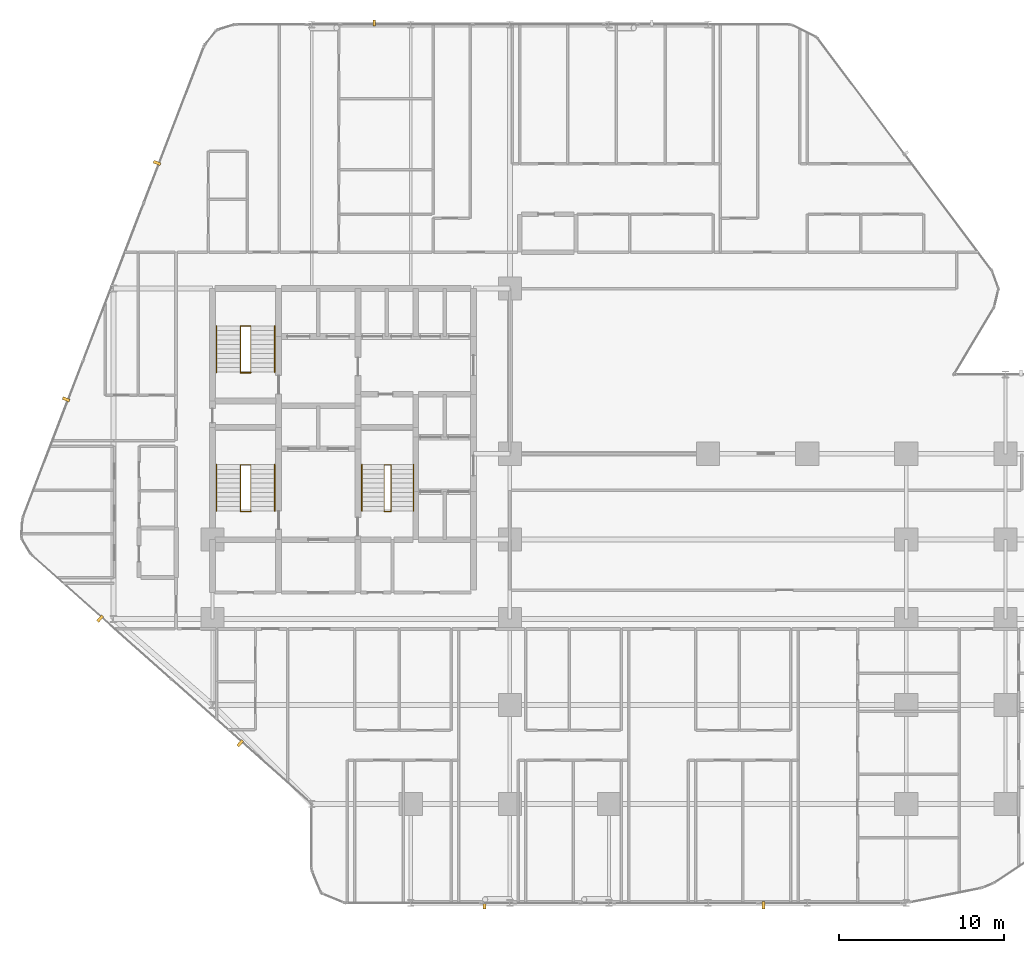
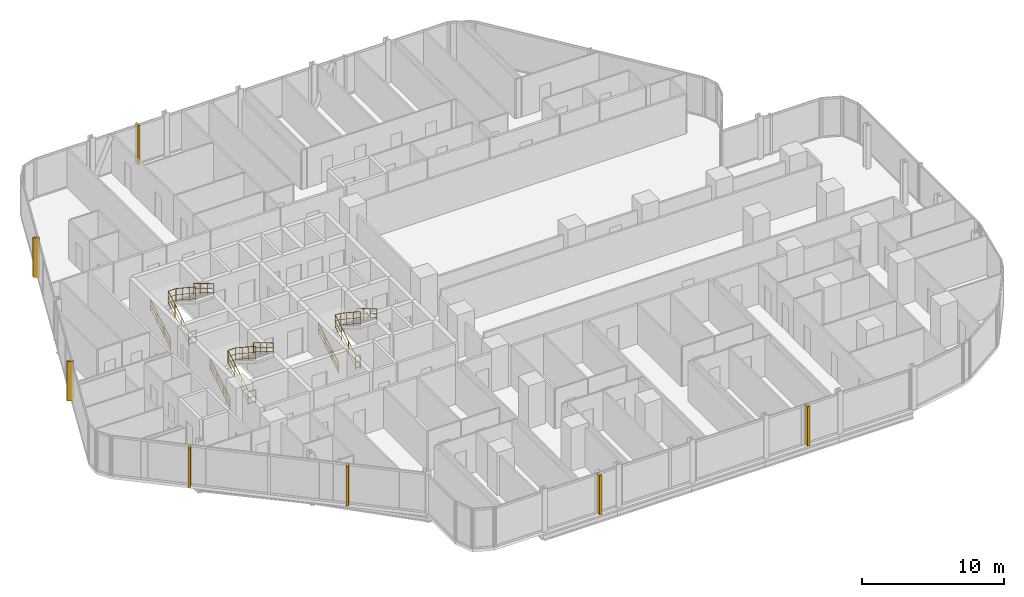
# One storey, part 33 of 34: 12 railings, 7 coverings.
"""IFC4 building model written with IfcOpenShell, lengths in metres."""

import ifcopenshell
import ifcopenshell.guid

model = None  # the IFC model being written
_history = None  # IfcOwnerHistory: only IFC2X3 demands one
_inside = {}  # id of a spatial element -> (the spatial element, [elements in it])
_under = {}  # id of a project, library or spatial element -> (it, [spatial elements below it])
_declared = {}  # id of a project -> (the project, [libraries it declares])
_typed = {}  # id of a type object -> (the type object, [elements of that type])
_made_of = {}  # id of a material, layer set ... -> (it, [elements and type objects made of it])


def new_model(schema):
    """Start an empty IFC model of exactly this schema.

    Asked for "IFC4X3", IfcOpenShell would pick the latest addendum, in which some entities
    have other attributes; the version numbers below select the first issue.
    IFC2X3 requires an IfcOwnerHistory on every rooted entity: one is made here for all.
    """
    global model, _history
    if schema == "IFC4X3":
        model = ifcopenshell.file(schema_version=(4, 3, 0, 0))
    else:
        model = ifcopenshell.file(schema=schema)
    _inside.clear()
    _under.clear()
    _declared.clear()
    _typed.clear()
    _made_of.clear()
    _history = None
    if model.schema == "IFC2X3":
        org = make("IfcOrganization", Name="unknown")
        user = make(
            "IfcPersonAndOrganization",
            ThePerson=make("IfcPerson", FamilyName="unknown"),
            TheOrganization=org,
        )
        app = make(
            "IfcApplication",
            ApplicationDeveloper=org,
            Version="unknown",
            ApplicationFullName="unknown",
            ApplicationIdentifier="unknown",
        )
        _history = make(
            "IfcOwnerHistory",
            OwningUser=user,
            OwningApplication=app,
            ChangeAction="ADDED",
            CreationDate=0,
        )
    return model


def make(cls, **values):
    """One entity of the class cls with the attributes given. An attribute that is None is left unset."""
    return model.create_entity(
        cls, **{name: value for name, value in values.items() if value is not None}
    )


def rooted(cls, **values):
    """An entity with a GlobalId (a new one), such as an element, a storey or a relation."""
    return make(cls, GlobalId=ifcopenshell.guid.new(), OwnerHistory=_history, **values)


def si_unit(unit_type, name, prefix=None):
    """IfcSIUnit, for example si_unit("LENGTHUNIT", "METRE", prefix="MILLI")."""
    return make("IfcSIUnit", UnitType=unit_type, Prefix=prefix, Name=name)


def assignment(units):
    """IfcUnitAssignment: the units of a project."""
    return None if units is None else make("IfcUnitAssignment", Units=units)


def point(xyz):
    """IfcCartesianPoint."""
    return None if xyz is None else make("IfcCartesianPoint", Coordinates=xyz)


def direction(xyz):
    """IfcDirection."""
    return None if xyz is None else make("IfcDirection", DirectionRatios=xyz)


def frame(location, z_axis=None, x_axis=None):
    """IfcAxis2Placement3D, a coordinate frame: its origin and axes. An axis left out is left unset."""
    return make(
        "IfcAxis2Placement3D",
        Location=point(location),
        Axis=direction(z_axis),
        RefDirection=direction(x_axis),
    )


def frame_2d(location, x_axis=None):
    """IfcAxis2Placement2D, a coordinate frame in the plane: its origin and x axis."""
    return make(
        "IfcAxis2Placement2D", Location=point(location), RefDirection=direction(x_axis)
    )


def origin():
    """The frame at (0, 0, 0) with its axes left unset."""
    return frame((0.0, 0.0, 0.0))


def origin_2d():
    """The frame at (0, 0) in the plane with its x axis left unset."""
    return frame_2d((0.0, 0.0))


def place(relative_to, where):
    """IfcLocalPlacement: puts the frame where relative to a parent placement (None: the world)."""
    return make(
        "IfcLocalPlacement", PlacementRelTo=relative_to, RelativePlacement=where
    )


def context(
    kind, dimensions, precision=None, world=None, true_north=None, identifier=None
):
    """IfcGeometricRepresentationContext, for example the 3D "Model" context."""
    return make(
        "IfcGeometricRepresentationContext",
        ContextIdentifier=identifier,
        ContextType=kind,
        CoordinateSpaceDimension=dimensions,
        Precision=precision,
        WorldCoordinateSystem=world,
        TrueNorth=true_north,
    )


def subcontext(parent, identifier, kind, view, scale=None):
    """IfcGeometricRepresentationSubContext, for example "Body" below "Model"."""
    return make(
        "IfcGeometricRepresentationSubContext",
        ContextIdentifier=identifier,
        ContextType=kind,
        ParentContext=parent,
        TargetScale=scale,
        TargetView=view,
    )


def project(units=None, contexts=None):
    """IfcProject with its units and contexts."""
    return rooted(
        "IfcProject",
        Name="project",
        RepresentationContexts=contexts,
        UnitsInContext=assignment(units),
    )


def spatial(cls, under=None, at=None, **own):
    """A site, building, storey or space (cls), placed at a placement, below another one or the project."""
    s = rooted(cls, ObjectPlacement=at, **own)
    if under is not None:
        _under.setdefault(under.id(), (under, []))[1].append(s)
    return s


def profile(cls, at=None, kind="AREA", **sizes):
    """A parametric profile (cls). Its sizes go by their IFC names, for example OverallWidth=200.0."""
    return make(cls, ProfileType=kind, Position=at, **sizes)


def rectangle(**sizes):
    """IfcRectangleProfileDef."""
    return profile("IfcRectangleProfileDef", **sizes)


def circle(**sizes):
    """IfcCircleProfileDef."""
    return profile("IfcCircleProfileDef", **sizes)


def extrude(swept, where, along, depth):
    """IfcExtrudedAreaSolid: the profile swept, set in the frame where, extruded along a direction by depth."""
    return make(
        "IfcExtrudedAreaSolid",
        SweptArea=swept,
        Position=where,
        ExtrudedDirection=direction(along),
        Depth=depth,
    )


def shape(context_of_items, identifier, shape_type, items):
    """IfcShapeRepresentation: the items that make up one representation, for example the "Body"."""
    return make(
        "IfcShapeRepresentation",
        ContextOfItems=context_of_items,
        RepresentationIdentifier=identifier,
        RepresentationType=shape_type,
        Items=items,
    )


def material(Name=None, Category=None):
    """IfcMaterial."""
    return make("IfcMaterial", Name=Name, Category=Category)


def layer(
    of_material, thickness, ventilated=None, Name=None, Category=None, Priority=None
):
    """IfcMaterialLayer: one layer of a wall or slab, of a material (None: an air gap)."""
    return make(
        "IfcMaterialLayer",
        Material=of_material,
        LayerThickness=thickness,
        IsVentilated=ventilated,
        Name=Name,
        Category=Category,
        Priority=Priority,
    )


def layer_set(layers, Name=None):
    """IfcMaterialLayerSet."""
    return make("IfcMaterialLayerSet", MaterialLayers=layers, LayerSetName=Name)


def made_of(thing, what):
    """Note that an element or type object is made of a material, layer set ...; save() writes the relation."""
    if what is not None:
        _made_of.setdefault(what.id(), (what, []))[1].append(thing)
    return thing


def type_object(cls, material=None, **own):
    """A type object (cls), such as IfcWallType, which elements share."""
    return made_of(rooted(cls, **own), material)


def element(
    cls,
    number,
    at=None,
    inside=None,
    cuts=None,
    type_object=None,
    material=None,
    context=None,
    identifier="Body",
    shape_type=None,
    held_by="IfcProductDefinitionShape",
    body=None,
    shapes=None,
    **own,
):
    """One element of the class cls, such as IfcWall. Its Tag is "e" and its number.

    at: its placement. inside: the storey or other place that contains it. cuts: it is an
    opening in that element (IfcRelVoidsElement). A single representation is given by context,
    identifier, shape_type and body (its items); several are given by shapes. held_by: the class
    of the entity that holds the representations. save() writes the other relations.
    """
    e = rooted(cls, Tag="e%d" % number, ObjectPlacement=at, **own)
    if body is not None:
        shapes = [shape(context, identifier, shape_type, body)]
    if shapes is not None:
        e.Representation = make(held_by, Representations=shapes)
    if inside is not None:
        _inside.setdefault(inside.id(), (inside, []))[1].append(e)
    if cuts is not None:
        rooted(
            "IfcRelVoidsElement", RelatingBuildingElement=cuts, RelatedOpeningElement=e
        )
    if type_object is not None:
        _typed.setdefault(type_object.id(), (type_object, []))[1].append(e)
    return made_of(e, material)


def aggregate(whole, parts):
    """IfcRelAggregates: a whole, such as a stair, and the parts it consists of."""
    return rooted("IfcRelAggregates", RelatingObject=whole, RelatedObjects=parts)


def save(model, path):
    """Write the relations noted so far, then the file.

    IfcRelAggregates (storeys below a building ...), IfcRelContainedInSpatialStructure (elements
    in a storey), IfcRelDefinesByType, IfcRelAssociatesMaterial and IfcRelDeclares: one each for
    every whole, place, type object, material and project.
    """
    for whole, parts in _under.values():
        aggregate(whole, parts)
    for where, things in _inside.values():
        rooted(
            "IfcRelContainedInSpatialStructure",
            RelatedElements=things,
            RelatingStructure=where,
        )
    for kind, things in _typed.values():
        rooted("IfcRelDefinesByType", RelatedObjects=things, RelatingType=kind)
    for what, things in _made_of.values():
        rooted("IfcRelAssociatesMaterial", RelatedObjects=things, RelatingMaterial=what)
    for by, libraries in _declared.values():
        rooted("IfcRelDeclares", RelatingContext=by, RelatedDefinitions=libraries)
    model.write(path)


model = new_model("IFC4")

# Units and contexts
model_context = context("Model", 3, precision=1e-05, world=origin(), true_north=direction((0.0, 1.0)))
body_context = subcontext(model_context, "Body", "Model", "MODEL_VIEW")
ifc_project = project(units=[si_unit("LENGTHUNIT", "METRE"), si_unit("AREAUNIT", "SQUARE_METRE"), si_unit("VOLUMEUNIT", "CUBIC_METRE"), si_unit("PLANEANGLEUNIT", "RADIAN"), si_unit("MASSUNIT", "GRAM", prefix="KILO")], contexts=[model_context])

# Site, building, storey
site_placement = place(None, origin())
site = spatial("IfcSite", under=ifc_project, at=site_placement, CompositionType="ELEMENT")
building_placement = place(site_placement, origin())
building = spatial("IfcBuilding", under=site, at=building_placement, Name="Keshet Zoharim Tower", CompositionType="ELEMENT")
storey_placement = place(building_placement, frame((0.0, 0.0, 31.39990234375)))
storey = spatial("IfcBuildingStorey", under=building, at=storey_placement, Name="L06", CompositionType="ELEMENT", Elevation=31.39990234375)

# Coverings
ifc_material_1 = material(Name="Concrete C50/60 precast", Category="concrete")
covering_type_1 = type_object("IfcCoveringType", Name="FIN-SOL-360", PredefinedType="CLADDING", material=ifc_material_1)
covering_placement = place(storey_placement, frame((24.780029296875, 53.97998046875, 0.0), z_axis=(0.0, 0.0, 1.0), x_axis=(1.0, 0.0, 0.0)))
element("IfcCovering", 1, at=covering_placement, inside=storey, type_object=covering_type_1, Name="L06 Vertical Precast Solar Fin 05", PredefinedType="CLADDING", context=body_context, shape_type="SweptSolid", body=[
    extrude(rectangle(XDim=0.159912109375, YDim=0.360107421875, at=origin_2d()), origin(), (0.0, 0.0, 1.0), 3.385009765625),
])
covering_type_2 = type_object("IfcCoveringType", Name="FIN-SOL-450", PredefinedType="CLADDING", material=ifc_material_1)
for number, where, z_axis, x_axis, name in (
    (2, (16.676025390625, 10.376953125, 0.0), (0.0, 0.0, 1.0), (-0.747409318679, 0.664363838836, 0.0), "L06 Vertical Precast Solar Fin 01"),
    (3, (8.193115234375, 17.9169921875, 0.0), (0.0, 0.0, 1.0), (-0.747409318679, 0.664363838836, 0.0), "L06 Vertical Precast Solar Fin 02"),
    (4, (6.133056640625, 31.194091796875, 0.0), (0.0, 0.0, 1.0), (0.358990003907, 0.933341404361, 0.0), "L06 Vertical Precast Solar Fin 03"),
    (5, (11.637939453125, 45.507080078125, 0.0), (0.0, 0.0, 1.0), (0.358990003907, 0.933341404361, 0.0), "L06 Vertical Precast Solar Fin 04"),
    (6, (48.35205078125, 0.574951171875, 0.0), (0.0, 0.0, 1.0), (-1.0, 0.0, 0.0), "L06 Vertical Precast Solar Fin 10"),
    (7, (31.450927734375, 0.574951171875, 0.0), (0.0, 0.0, 1.0), (-1.0, 0.0, 0.0), "L06 Vertical Precast Solar Fin 11"),
):
    element("IfcCovering", number, at=place(storey_placement, frame(where, z_axis=z_axis, x_axis=x_axis)), inside=storey, type_object=covering_type_2, Name=name, PredefinedType="CLADDING", context=body_context, shape_type="SweptSolid", body=[
        extrude(rectangle(XDim=0.179931640625, YDim=0.449951171875, at=origin_2d()), origin(), (0.0, 0.0, 1.0), 3.385009765625),
    ])

# Railings
ifc_material_2 = material(Name="Steel S355", Category="steel")
ifc_layer_1 = layer(ifc_material_2, 0.050048828125)
ifc_layer_set_1 = layer_set([ifc_layer_1], Name="Steel S355")
railing_type_1 = type_object("IfcRailingType", Name="RL-HND-092", PredefinedType="HANDRAIL", material=ifc_layer_set_1)
railing_1_placement = place(storey_placement, frame((15.239990234375, 24.43994140625, 0.168212890625)))
element("IfcRailing", 8, at=railing_1_placement, inside=storey, type_object=railing_type_1, Name="L06 ST-01 Flight 1 Wall Handrail", PredefinedType="HANDRAIL", context=body_context, shape_type="SweptSolid", body=[
    extrude(circle(Radius=0.02392578125, at=origin_2d()), frame((0.0, 0.0, 0.89599609375), z_axis=(0.0, 0.857242210791, 0.514913383045), x_axis=(-1.0, 0.0, 0.0)), (0.0, 0.0, 1.0), 3.266357421875),
    extrude(circle(Radius=0.01611328125, at=origin_2d()), frame((0.0, 0.0, 0.478271484375), z_axis=(0.0, 0.857242210791, 0.514913383045), x_axis=(-1.0, 0.0, 0.0)), (0.0, 0.0, 1.0), 3.266357421875),
    extrude(circle(Radius=0.01611328125, at=origin_2d()), frame((0.0, 0.0, 0.1201171875), z_axis=(0.0, 0.857242210791, 0.514913383045), x_axis=(-1.0, 0.0, 0.0)), (0.0, 0.0, 1.0), 3.266357421875),
    extrude(circle(Radius=0.02099609375, at=origin_2d()), origin(), (0.0, 0.0, 1.0), 0.871826171875),
    extrude(circle(Radius=0.02099609375, at=origin_2d()), frame((0.0, 0.933349609375, 0.560546875)), (0.0, 0.0, 1.0), 0.871826171875),
    extrude(circle(Radius=0.02099609375, at=origin_2d()), frame((0.0, 1.86669921875, 1.121337890625)), (0.0, 0.0, 1.0), 0.871826171875),
    extrude(circle(Radius=0.02099609375, at=origin_2d()), frame((0.0, 2.800048828125, 1.681884765625)), (0.0, 0.0, 1.0), 0.871826171875),
])
railing_2_placement = place(storey_placement, frame((18.760009765625, 27.239990234375, 2.018310546875)))
element("IfcRailing", 9, at=railing_2_placement, inside=storey, type_object=railing_type_1, Name="L06 ST-01 Flight 2 Wall Handrail", PredefinedType="HANDRAIL", context=body_context, shape_type="SweptSolid", body=[
    extrude(circle(Radius=0.02392578125, at=origin_2d()), frame((0.0, 0.0, 0.89599609375), z_axis=(0.0, -0.857242210791, 0.514913383045), x_axis=(1.0, 0.0, 0.0)), (0.0, 0.0, 1.0), 3.266357421875),
    extrude(circle(Radius=0.01611328125, at=origin_2d()), frame((0.0, 0.0, 0.478271484375), z_axis=(0.0, -0.857242210791, 0.514913383045), x_axis=(1.0, 0.0, 0.0)), (0.0, 0.0, 1.0), 3.266357421875),
    extrude(circle(Radius=0.01611328125, at=origin_2d()), frame((0.0, 0.0, 0.1201171875), z_axis=(0.0, -0.857242210791, 0.514913383045), x_axis=(1.0, 0.0, 0.0)), (0.0, 0.0, 1.0), 3.266357421875),
    extrude(circle(Radius=0.02099609375, at=origin_2d()), origin(), (0.0, 0.0, 1.0), 0.871826171875),
    extrude(circle(Radius=0.02099609375, at=origin_2d()), frame((0.0, -0.933349609375, 0.560546875)), (0.0, 0.0, 1.0), 0.871826171875),
    extrude(circle(Radius=0.02099609375, at=origin_2d()), frame((0.0, -1.86669921875, 1.121337890625)), (0.0, 0.0, 1.0), 0.871826171875),
    extrude(circle(Radius=0.02099609375, at=origin_2d()), frame((0.0, -2.800048828125, 1.681884765625)), (0.0, 0.0, 1.0), 0.871826171875),
])
railing_3_placement = place(storey_placement, frame((15.239990234375, 32.840087890625, 0.168212890625)))
element("IfcRailing", 10, at=railing_3_placement, inside=storey, type_object=railing_type_1, Name="L06 ST-02 Flight 1 Wall Handrail", PredefinedType="HANDRAIL", context=body_context, shape_type="SweptSolid", body=[
    extrude(circle(Radius=0.02392578125, at=origin_2d()), frame((0.0, 0.0, 0.89599609375), z_axis=(0.0, 0.857222391501, 0.514946377315), x_axis=(-1.0, 0.0, 0.0)), (0.0, 0.0, 1.0), 3.26611328125),
    extrude(circle(Radius=0.01611328125, at=origin_2d()), frame((0.0, 0.0, 0.478271484375), z_axis=(0.0, 0.857222391501, 0.514946377315), x_axis=(-1.0, 0.0, 0.0)), (0.0, 0.0, 1.0), 3.26611328125),
    extrude(circle(Radius=0.01611328125, at=origin_2d()), frame((0.0, 0.0, 0.1201171875), z_axis=(0.0, 0.857222391501, 0.514946377315), x_axis=(-1.0, 0.0, 0.0)), (0.0, 0.0, 1.0), 3.26611328125),
    extrude(circle(Radius=0.02099609375, at=origin_2d()), origin(), (0.0, 0.0, 1.0), 0.871826171875),
    extrude(circle(Radius=0.02099609375, at=origin_2d()), frame((0.0, 0.933349609375, 0.560546875)), (0.0, 0.0, 1.0), 0.871826171875),
    extrude(circle(Radius=0.02099609375, at=origin_2d()), frame((0.0, 1.866455078125, 1.121337890625)), (0.0, 0.0, 1.0), 0.871826171875),
    extrude(circle(Radius=0.02099609375, at=origin_2d()), frame((0.0, 2.7998046875, 1.681884765625)), (0.0, 0.0, 1.0), 0.871826171875),
])
railing_4_placement = place(storey_placement, frame((18.760009765625, 35.639892578125, 2.018310546875)))
element("IfcRailing", 11, at=railing_4_placement, inside=storey, type_object=railing_type_1, Name="L06 ST-02 Flight 2 Wall Handrail", PredefinedType="HANDRAIL", context=body_context, shape_type="SweptSolid", body=[
    extrude(circle(Radius=0.02392578125, at=origin_2d()), frame((0.0, 0.0, 0.89599609375), z_axis=(0.0, -0.857222391501, 0.514946377315), x_axis=(1.0, 0.0, 0.0)), (0.0, 0.0, 1.0), 3.26611328125),
    extrude(circle(Radius=0.01611328125, at=origin_2d()), frame((0.0, 0.0, 0.478271484375), z_axis=(0.0, -0.857222391501, 0.514946377315), x_axis=(1.0, 0.0, 0.0)), (0.0, 0.0, 1.0), 3.26611328125),
    extrude(circle(Radius=0.01611328125, at=origin_2d()), frame((0.0, 0.0, 0.1201171875), z_axis=(0.0, -0.857222391501, 0.514946377315), x_axis=(1.0, 0.0, 0.0)), (0.0, 0.0, 1.0), 3.26611328125),
    extrude(circle(Radius=0.02099609375, at=origin_2d()), origin(), (0.0, 0.0, 1.0), 0.871826171875),
    extrude(circle(Radius=0.02099609375, at=origin_2d()), frame((0.0, -0.933349609375, 0.560546875)), (0.0, 0.0, 1.0), 0.871826171875),
    extrude(circle(Radius=0.02099609375, at=origin_2d()), frame((0.0, -1.866455078125, 1.121337890625)), (0.0, 0.0, 1.0), 0.871826171875),
    extrude(circle(Radius=0.02099609375, at=origin_2d()), frame((0.0, -2.7998046875, 1.681884765625)), (0.0, 0.0, 1.0), 0.871826171875),
])
railing_5_placement = place(storey_placement, frame((24.0400390625, 24.43994140625, 0.168212890625)))
element("IfcRailing", 12, at=railing_5_placement, inside=storey, type_object=railing_type_1, Name="L06 ST-03 Flight 1 Wall Handrail", PredefinedType="HANDRAIL", context=body_context, shape_type="SweptSolid", body=[
    extrude(circle(Radius=0.02392578125, at=origin_2d()), frame((0.0, 0.0, 0.89599609375), z_axis=(0.0, 0.857242210791, 0.514913383045), x_axis=(-1.0, 0.0, 0.0)), (0.0, 0.0, 1.0), 3.266357421875),
    extrude(circle(Radius=0.01611328125, at=origin_2d()), frame((0.0, 0.0, 0.478271484375), z_axis=(0.0, 0.857242210791, 0.514913383045), x_axis=(-1.0, 0.0, 0.0)), (0.0, 0.0, 1.0), 3.266357421875),
    extrude(circle(Radius=0.01611328125, at=origin_2d()), frame((0.0, 0.0, 0.1201171875), z_axis=(0.0, 0.857242210791, 0.514913383045), x_axis=(-1.0, 0.0, 0.0)), (0.0, 0.0, 1.0), 3.266357421875),
    extrude(circle(Radius=0.02099609375, at=origin_2d()), origin(), (0.0, 0.0, 1.0), 0.871826171875),
    extrude(circle(Radius=0.02099609375, at=origin_2d()), frame((0.0, 0.933349609375, 0.560546875)), (0.0, 0.0, 1.0), 0.871826171875),
    extrude(circle(Radius=0.02099609375, at=origin_2d()), frame((0.0, 1.86669921875, 1.121337890625)), (0.0, 0.0, 1.0), 0.871826171875),
    extrude(circle(Radius=0.02099609375, at=origin_2d()), frame((0.0, 2.800048828125, 1.681884765625)), (0.0, 0.0, 1.0), 0.871826171875),
])
railing_6_placement = place(storey_placement, frame((27.159912109375, 27.239990234375, 2.018310546875)))
element("IfcRailing", 13, at=railing_6_placement, inside=storey, type_object=railing_type_1, Name="L06 ST-03 Flight 2 Wall Handrail", PredefinedType="HANDRAIL", context=body_context, shape_type="SweptSolid", body=[
    extrude(circle(Radius=0.02392578125, at=origin_2d()), frame((0.0, 0.0, 0.89599609375), z_axis=(0.0, -0.857242210791, 0.514913383045), x_axis=(1.0, 0.0, 0.0)), (0.0, 0.0, 1.0), 3.266357421875),
    extrude(circle(Radius=0.01611328125, at=origin_2d()), frame((0.0, 0.0, 0.478271484375), z_axis=(0.0, -0.857242210791, 0.514913383045), x_axis=(1.0, 0.0, 0.0)), (0.0, 0.0, 1.0), 3.266357421875),
    extrude(circle(Radius=0.01611328125, at=origin_2d()), frame((0.0, 0.0, 0.1201171875), z_axis=(0.0, -0.857242210791, 0.514913383045), x_axis=(1.0, 0.0, 0.0)), (0.0, 0.0, 1.0), 3.266357421875),
    extrude(circle(Radius=0.02099609375, at=origin_2d()), origin(), (0.0, 0.0, 1.0), 0.871826171875),
    extrude(circle(Radius=0.02099609375, at=origin_2d()), frame((0.0, -0.933349609375, 0.560546875)), (0.0, 0.0, 1.0), 0.871826171875),
    extrude(circle(Radius=0.02099609375, at=origin_2d()), frame((0.0, -1.86669921875, 1.121337890625)), (0.0, 0.0, 1.0), 0.871826171875),
    extrude(circle(Radius=0.02099609375, at=origin_2d()), frame((0.0, -2.800048828125, 1.681884765625)), (0.0, 0.0, 1.0), 0.871826171875),
])
ifc_layer_2 = layer(ifc_material_2, 0.06005859375)
ifc_layer_set_2 = layer_set([ifc_layer_2], Name="Steel S355")
railing_type_2 = type_object("IfcRailingType", Name="RL-STG-115", PredefinedType="GUARDRAIL", material=ifc_layer_set_2)
railing_7_placement = place(storey_placement, frame((16.68994140625, 24.43994140625, 0.168212890625)))
element("IfcRailing", 14, at=railing_7_placement, inside=storey, type_object=railing_type_2, Name="L06 ST-01 Inner Well Guardrail", PredefinedType="GUARDRAIL", context=body_context, shape_type="SweptSolid", body=[
    extrude(circle(Radius=0.02392578125, at=origin_2d()), frame((0.0, 0.0, 1.1259765625), z_axis=(0.0, 0.857242210791, 0.514913383045), x_axis=(-1.0, 0.0, 0.0)), (0.0, 0.0, 1.0), 3.266357421875),
    extrude(circle(Radius=0.01611328125, at=origin_2d()), frame((0.0, 0.0, 0.597900390625), z_axis=(0.0, 0.857242210791, 0.514913383045), x_axis=(-1.0, 0.0, 0.0)), (0.0, 0.0, 1.0), 3.266357421875),
    extrude(circle(Radius=0.01611328125, at=origin_2d()), frame((0.0, 0.0, 0.1201171875), z_axis=(0.0, 0.857242210791, 0.514913383045), x_axis=(-1.0, 0.0, 0.0)), (0.0, 0.0, 1.0), 3.266357421875),
    extrude(circle(Radius=0.02392578125, at=origin_2d()), frame((0.0, 2.800048828125, 2.8076171875), z_axis=(1.0, 0.0, 0.0), x_axis=(0.0, 1.0, 0.0)), (0.0, 0.0, 1.0), 0.6201171875),
    extrude(circle(Radius=0.01611328125, at=origin_2d()), frame((0.0, 2.800048828125, 2.27978515625), z_axis=(1.0, 0.0, 0.0), x_axis=(0.0, 1.0, 0.0)), (0.0, 0.0, 1.0), 0.6201171875),
    extrude(circle(Radius=0.01611328125, at=origin_2d()), frame((0.0, 2.800048828125, 1.802001953125), z_axis=(1.0, 0.0, 0.0), x_axis=(0.0, 1.0, 0.0)), (0.0, 0.0, 1.0), 0.6201171875),
    extrude(circle(Radius=0.02392578125, at=origin_2d()), frame((0.6201171875, 2.800048828125, 2.8076171875), z_axis=(0.0, -0.834326358476, 0.551270829586), x_axis=(1.0, 0.0, 0.0)), (0.0, 0.0, 1.0), 3.35595703125),
    extrude(circle(Radius=0.01611328125, at=origin_2d()), frame((0.6201171875, 2.800048828125, 2.27978515625), z_axis=(0.0, -0.834326358476, 0.551270829586), x_axis=(1.0, 0.0, 0.0)), (0.0, 0.0, 1.0), 3.35595703125),
    extrude(circle(Radius=0.01611328125, at=origin_2d()), frame((0.6201171875, 2.800048828125, 1.802001953125), z_axis=(0.0, -0.834326358476, 0.551270829586), x_axis=(1.0, 0.0, 0.0)), (0.0, 0.0, 1.0), 3.35595703125),
    extrude(circle(Radius=0.02099609375, at=origin_2d()), origin(), (0.0, 0.0, 1.0), 1.101806640625),
    extrude(circle(Radius=0.02099609375, at=origin_2d()), frame((0.0, 0.933349609375, 0.560546875)), (0.0, 0.0, 1.0), 1.101806640625),
    extrude(circle(Radius=0.02099609375, at=origin_2d()), frame((0.0, 1.86669921875, 1.121337890625)), (0.0, 0.0, 1.0), 1.101806640625),
    extrude(circle(Radius=0.02099609375, at=origin_2d()), frame((0.0, 2.800048828125, 1.681884765625)), (0.0, 0.0, 1.0), 1.101806640625),
    extrude(circle(Radius=0.02099609375, at=origin_2d()), frame((0.6201171875, 2.800048828125, 1.681884765625)), (0.0, 0.0, 1.0), 1.101806640625),
    extrude(circle(Radius=0.02099609375, at=origin_2d()), frame((0.6201171875, 1.86669921875, 2.298583984375)), (0.0, 0.0, 1.0), 1.101806640625),
    extrude(circle(Radius=0.02099609375, at=origin_2d()), frame((0.6201171875, 0.933349609375, 2.915283203125)), (0.0, 0.0, 1.0), 1.101806640625),
    extrude(circle(Radius=0.02099609375, at=origin_2d()), frame((0.6201171875, 0.0, 3.531982421875)), (0.0, 0.0, 1.0), 1.101806640625),
])
railing_8_placement = place(storey_placement, frame((16.68994140625, 24.409912109375, 0.0)))
element("IfcRailing", 15, at=railing_8_placement, inside=storey, type_object=railing_type_2, Name="L06 ST-01 Stairwell Floor Guardrail", PredefinedType="GUARDRAIL", context=body_context, shape_type="SweptSolid", body=[
    extrude(circle(Radius=0.02392578125, at=origin_2d()), frame((0.0, 0.0, 1.1259765625), z_axis=(1.0, 0.0, 0.0), x_axis=(0.0, 1.0, 0.0)), (0.0, 0.0, 1.0), 0.6201171875),
    extrude(circle(Radius=0.01611328125, at=origin_2d()), frame((0.0, 0.0, 0.597900390625), z_axis=(1.0, 0.0, 0.0), x_axis=(0.0, 1.0, 0.0)), (0.0, 0.0, 1.0), 0.6201171875),
    extrude(circle(Radius=0.01611328125, at=origin_2d()), frame((0.0, 0.0, 0.1201171875), z_axis=(1.0, 0.0, 0.0), x_axis=(0.0, 1.0, 0.0)), (0.0, 0.0, 1.0), 0.6201171875),
    extrude(circle(Radius=0.02099609375, at=origin_2d()), origin(), (0.0, 0.0, 1.0), 1.101806640625),
    extrude(circle(Radius=0.02099609375, at=origin_2d()), frame((0.6201171875, 0.0, 0.0)), (0.0, 0.0, 1.0), 1.101806640625),
])
railing_9_placement = place(storey_placement, frame((16.68994140625, 32.840087890625, 0.168212890625)))
element("IfcRailing", 16, at=railing_9_placement, inside=storey, type_object=railing_type_2, Name="L06 ST-02 Inner Well Guardrail", PredefinedType="GUARDRAIL", context=body_context, shape_type="SweptSolid", body=[
    extrude(circle(Radius=0.02392578125, at=origin_2d()), frame((0.0, 0.0, 1.1259765625), z_axis=(0.0, 0.857222391501, 0.514946377315), x_axis=(-1.0, 0.0, 0.0)), (0.0, 0.0, 1.0), 3.26611328125),
    extrude(circle(Radius=0.01611328125, at=origin_2d()), frame((0.0, 0.0, 0.597900390625), z_axis=(0.0, 0.857222391501, 0.514946377315), x_axis=(-1.0, 0.0, 0.0)), (0.0, 0.0, 1.0), 3.26611328125),
    extrude(circle(Radius=0.01611328125, at=origin_2d()), frame((0.0, 0.0, 0.1201171875), z_axis=(0.0, 0.857222391501, 0.514946377315), x_axis=(-1.0, 0.0, 0.0)), (0.0, 0.0, 1.0), 3.26611328125),
    extrude(circle(Radius=0.02392578125, at=origin_2d()), frame((0.0, 2.7998046875, 2.8076171875), z_axis=(1.0, 0.0, 0.0), x_axis=(0.0, 1.0, 0.0)), (0.0, 0.0, 1.0), 0.6201171875),
    extrude(circle(Radius=0.01611328125, at=origin_2d()), frame((0.0, 2.7998046875, 2.27978515625), z_axis=(1.0, 0.0, 0.0), x_axis=(0.0, 1.0, 0.0)), (0.0, 0.0, 1.0), 0.6201171875),
    extrude(circle(Radius=0.01611328125, at=origin_2d()), frame((0.0, 2.7998046875, 1.802001953125), z_axis=(1.0, 0.0, 0.0), x_axis=(0.0, 1.0, 0.0)), (0.0, 0.0, 1.0), 0.6201171875),
    extrude(circle(Radius=0.02392578125, at=origin_2d()), frame((0.6201171875, 2.7998046875, 2.8076171875), z_axis=(0.0, -0.834304248922, 0.551304290053), x_axis=(1.0, 0.0, 0.0)), (0.0, 0.0, 1.0), 3.35595703125),
    extrude(circle(Radius=0.01611328125, at=origin_2d()), frame((0.6201171875, 2.7998046875, 2.27978515625), z_axis=(0.0, -0.834304248922, 0.551304290053), x_axis=(1.0, 0.0, 0.0)), (0.0, 0.0, 1.0), 3.35595703125),
    extrude(circle(Radius=0.01611328125, at=origin_2d()), frame((0.6201171875, 2.7998046875, 1.802001953125), z_axis=(0.0, -0.834304248922, 0.551304290053), x_axis=(1.0, 0.0, 0.0)), (0.0, 0.0, 1.0), 3.35595703125),
    extrude(circle(Radius=0.02099609375, at=origin_2d()), origin(), (0.0, 0.0, 1.0), 1.101806640625),
    extrude(circle(Radius=0.02099609375, at=origin_2d()), frame((0.0, 0.933349609375, 0.560546875)), (0.0, 0.0, 1.0), 1.101806640625),
    extrude(circle(Radius=0.02099609375, at=origin_2d()), frame((0.0, 1.866455078125, 1.121337890625)), (0.0, 0.0, 1.0), 1.101806640625),
    extrude(circle(Radius=0.02099609375, at=origin_2d()), frame((0.0, 2.7998046875, 1.681884765625)), (0.0, 0.0, 1.0), 1.101806640625),
    extrude(circle(Radius=0.02099609375, at=origin_2d()), frame((0.6201171875, 2.7998046875, 1.681884765625)), (0.0, 0.0, 1.0), 1.101806640625),
    extrude(circle(Radius=0.02099609375, at=origin_2d()), frame((0.6201171875, 1.866455078125, 2.298583984375)), (0.0, 0.0, 1.0), 1.101806640625),
    extrude(circle(Radius=0.02099609375, at=origin_2d()), frame((0.6201171875, 0.933349609375, 2.915283203125)), (0.0, 0.0, 1.0), 1.101806640625),
    extrude(circle(Radius=0.02099609375, at=origin_2d()), frame((0.6201171875, 0.0, 3.531982421875)), (0.0, 0.0, 1.0), 1.101806640625),
])
railing_10_placement = place(storey_placement, frame((16.68994140625, 32.81005859375, 0.0)))
element("IfcRailing", 17, at=railing_10_placement, inside=storey, type_object=railing_type_2, Name="L06 ST-02 Stairwell Floor Guardrail", PredefinedType="GUARDRAIL", context=body_context, shape_type="SweptSolid", body=[
    extrude(circle(Radius=0.02392578125, at=origin_2d()), frame((0.0, 0.0, 1.1259765625), z_axis=(1.0, 0.0, 0.0), x_axis=(0.0, 1.0, 0.0)), (0.0, 0.0, 1.0), 0.6201171875),
    extrude(circle(Radius=0.01611328125, at=origin_2d()), frame((0.0, 0.0, 0.597900390625), z_axis=(1.0, 0.0, 0.0), x_axis=(0.0, 1.0, 0.0)), (0.0, 0.0, 1.0), 0.6201171875),
    extrude(circle(Radius=0.01611328125, at=origin_2d()), frame((0.0, 0.0, 0.1201171875), z_axis=(1.0, 0.0, 0.0), x_axis=(0.0, 1.0, 0.0)), (0.0, 0.0, 1.0), 0.6201171875),
    extrude(circle(Radius=0.02099609375, at=origin_2d()), origin(), (0.0, 0.0, 1.0), 1.101806640625),
    extrude(circle(Radius=0.02099609375, at=origin_2d()), frame((0.6201171875, 0.0, 0.0)), (0.0, 0.0, 1.0), 1.101806640625),
])
railing_11_placement = place(storey_placement, frame((25.39990234375, 24.43994140625, 0.168212890625)))
element("IfcRailing", 18, at=railing_11_placement, inside=storey, type_object=railing_type_2, Name="L06 ST-03 Inner Well Guardrail", PredefinedType="GUARDRAIL", context=body_context, shape_type="SweptSolid", body=[
    extrude(circle(Radius=0.02392578125, at=origin_2d()), frame((0.0, 0.0, 1.1259765625), z_axis=(0.0, 0.857242210791, 0.514913383045), x_axis=(-1.0, 0.0, 0.0)), (0.0, 0.0, 1.0), 3.266357421875),
    extrude(circle(Radius=0.01611328125, at=origin_2d()), frame((0.0, 0.0, 0.597900390625), z_axis=(0.0, 0.857242210791, 0.514913383045), x_axis=(-1.0, 0.0, 0.0)), (0.0, 0.0, 1.0), 3.266357421875),
    extrude(circle(Radius=0.01611328125, at=origin_2d()), frame((0.0, 0.0, 0.1201171875), z_axis=(0.0, 0.857242210791, 0.514913383045), x_axis=(-1.0, 0.0, 0.0)), (0.0, 0.0, 1.0), 3.266357421875),
    extrude(circle(Radius=0.02392578125, at=origin_2d()), frame((0.0, 2.800048828125, 2.8076171875), z_axis=(1.0, 0.0, 0.0), x_axis=(0.0, 1.0, 0.0)), (0.0, 0.0, 1.0), 0.400146484375),
    extrude(circle(Radius=0.01611328125, at=origin_2d()), frame((0.0, 2.800048828125, 2.27978515625), z_axis=(1.0, 0.0, 0.0), x_axis=(0.0, 1.0, 0.0)), (0.0, 0.0, 1.0), 0.400146484375),
    extrude(circle(Radius=0.01611328125, at=origin_2d()), frame((0.0, 2.800048828125, 1.802001953125), z_axis=(1.0, 0.0, 0.0), x_axis=(0.0, 1.0, 0.0)), (0.0, 0.0, 1.0), 0.400146484375),
    extrude(circle(Radius=0.02392578125, at=origin_2d()), frame((0.400146484375, 2.800048828125, 2.8076171875), z_axis=(0.0, -0.834326358476, 0.551270829586), x_axis=(1.0, 0.0, 0.0)), (0.0, 0.0, 1.0), 3.35595703125),
    extrude(circle(Radius=0.01611328125, at=origin_2d()), frame((0.400146484375, 2.800048828125, 2.27978515625), z_axis=(0.0, -0.834326358476, 0.551270829586), x_axis=(1.0, 0.0, 0.0)), (0.0, 0.0, 1.0), 3.35595703125),
    extrude(circle(Radius=0.01611328125, at=origin_2d()), frame((0.400146484375, 2.800048828125, 1.802001953125), z_axis=(0.0, -0.834326358476, 0.551270829586), x_axis=(1.0, 0.0, 0.0)), (0.0, 0.0, 1.0), 3.35595703125),
    extrude(circle(Radius=0.02099609375, at=origin_2d()), origin(), (0.0, 0.0, 1.0), 1.101806640625),
    extrude(circle(Radius=0.02099609375, at=origin_2d()), frame((0.0, 0.933349609375, 0.560546875)), (0.0, 0.0, 1.0), 1.101806640625),
    extrude(circle(Radius=0.02099609375, at=origin_2d()), frame((0.0, 1.86669921875, 1.121337890625)), (0.0, 0.0, 1.0), 1.101806640625),
    extrude(circle(Radius=0.02099609375, at=origin_2d()), frame((0.0, 2.800048828125, 1.681884765625)), (0.0, 0.0, 1.0), 1.101806640625),
    extrude(circle(Radius=0.02099609375, at=origin_2d()), frame((0.400146484375, 2.800048828125, 1.681884765625)), (0.0, 0.0, 1.0), 1.101806640625),
    extrude(circle(Radius=0.02099609375, at=origin_2d()), frame((0.400146484375, 1.86669921875, 2.298583984375)), (0.0, 0.0, 1.0), 1.101806640625),
    extrude(circle(Radius=0.02099609375, at=origin_2d()), frame((0.400146484375, 0.933349609375, 2.915283203125)), (0.0, 0.0, 1.0), 1.101806640625),
    extrude(circle(Radius=0.02099609375, at=origin_2d()), frame((0.400146484375, 0.0, 3.531982421875)), (0.0, 0.0, 1.0), 1.101806640625),
])
railing_12_placement = place(storey_placement, frame((25.39990234375, 24.409912109375, 0.0)))
element("IfcRailing", 19, at=railing_12_placement, inside=storey, type_object=railing_type_2, Name="L06 ST-03 Stairwell Floor Guardrail", PredefinedType="GUARDRAIL", context=body_context, shape_type="SweptSolid", body=[
    extrude(circle(Radius=0.02392578125, at=origin_2d()), frame((0.0, 0.0, 1.1259765625), z_axis=(1.0, 0.0, 0.0), x_axis=(0.0, 1.0, 0.0)), (0.0, 0.0, 1.0), 0.400146484375),
    extrude(circle(Radius=0.01611328125, at=origin_2d()), frame((0.0, 0.0, 0.597900390625), z_axis=(1.0, 0.0, 0.0), x_axis=(0.0, 1.0, 0.0)), (0.0, 0.0, 1.0), 0.400146484375),
    extrude(circle(Radius=0.01611328125, at=origin_2d()), frame((0.0, 0.0, 0.1201171875), z_axis=(1.0, 0.0, 0.0), x_axis=(0.0, 1.0, 0.0)), (0.0, 0.0, 1.0), 0.400146484375),
    extrude(circle(Radius=0.02099609375, at=origin_2d()), origin(), (0.0, 0.0, 1.0), 1.101806640625),
    extrude(circle(Radius=0.02099609375, at=origin_2d()), frame((0.400146484375, 0.0, 0.0)), (0.0, 0.0, 1.0), 1.101806640625),
])

save(model, "model.ifc")
